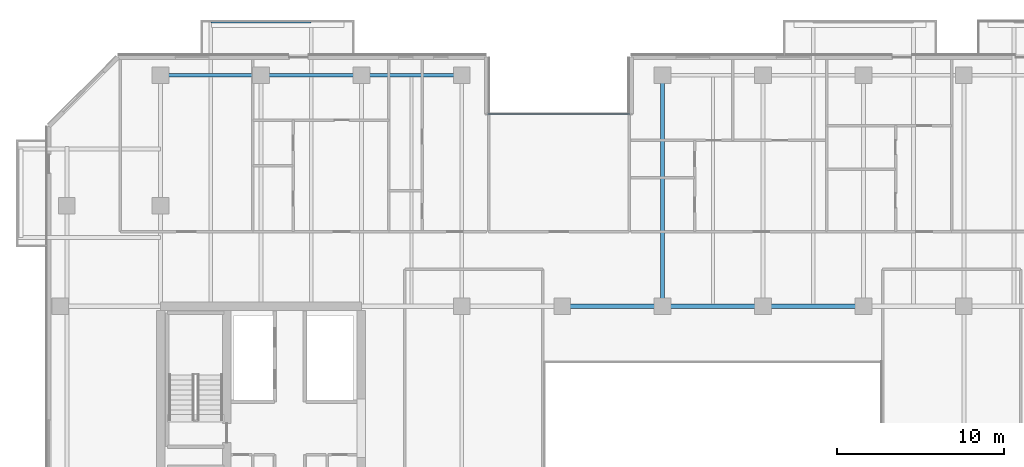
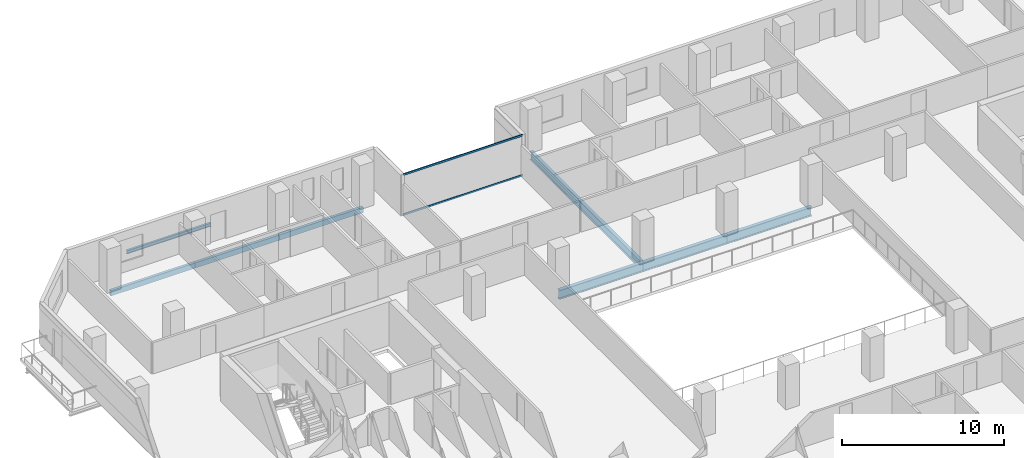
# One storey, part 7 of 23: 8 beams, 2 members, 1 element without a shape of its own.
"""IFC4 building model written with IfcOpenShell, lengths in metres."""

from ifc_helpers import new_model, si_unit, direction, frame, origin, origin_2d, place, context, subcontext, project, spatial, hollow_rectangle, i_section, extrude, material, layer, layer_set, material_profile, profile_set, type_object, element, aggregate, save


model = new_model("IFC4")

# Units and contexts
model_context = context("Model", 3, precision=1e-05, world=origin(), true_north=direction((0.0, 1.0)))
body_context = subcontext(model_context, "Body", "Model", "MODEL_VIEW")
ifc_project = project(units=[si_unit("LENGTHUNIT", "METRE"), si_unit("AREAUNIT", "SQUARE_METRE"), si_unit("VOLUMEUNIT", "CUBIC_METRE"), si_unit("PLANEANGLEUNIT", "RADIAN"), si_unit("MASSUNIT", "GRAM", prefix="KILO")], contexts=[model_context])

# Site, building, storey
site_placement = place(None, origin())
site = spatial("IfcSite", under=ifc_project, at=site_placement, CompositionType="ELEMENT")
building_placement = place(site_placement, origin())
building = spatial("IfcBuilding", under=site, at=building_placement, Name="Tanjung Sevakor Pilgrim Tower", CompositionType="ELEMENT")
storey_placement = place(building_placement, frame((0.0, 0.0, 88.77001953125)))
storey = spatial("IfcBuildingStorey", under=building, at=storey_placement, Name="L24", CompositionType="ELEMENT", Elevation=88.77001953125)

# Beams
ifc_material_1 = material(Name="Steel S355J2", Category="steel")
ifc_material_profile_1 = material_profile(ifc_material_1, i_section(OverallWidth=0.25439453125, OverallDepth=0.6875, WebThickness=0.01318359375, FlangeThickness=0.02099609375, FilletRadius=0.01513671875, at=origin_2d()))
ifc_profile_set_1 = profile_set([ifc_material_profile_1], Name="Steel S355J2")
beam_type_1 = type_object("IfcBeamType", Name="BM-B-G2-UB_686x254x152", PredefinedType="BEAM", material=ifc_profile_set_1)
for number, where, z_axis, x_axis, name in (
    (1, (48.0, 42.60009765625, -0.563720703125), (1.0, 0.0, 0.0), (0.0, 1.0, 0.0), "L24 Primary Floor Girder MAIN Y426-04"),
    (2, (54.0, 42.60009765625, -0.563720703125), (1.0, 0.0, 0.0), (0.0, 1.0, 0.0), "L24 Primary Floor Girder MAIN Y426-05"),
    (3, (60.0, 42.60009765625, -0.563720703125), (1.0, 0.0, 0.0), (0.0, 1.0, 0.0), "L24 Primary Floor Girder MAIN Y426-06"),
):
    element("IfcBeam", number, at=place(storey_placement, frame(where, z_axis=z_axis, x_axis=x_axis)), inside=storey, type_object=beam_type_1, Name=name, PredefinedType="BEAM", context=body_context, shape_type="SweptSolid", body=[
        extrude(i_section(OverallWidth=0.25439453125, OverallDepth=0.6875, WebThickness=0.01318359375, FlangeThickness=0.02099609375, FilletRadius=0.01513671875, at=origin_2d()), origin(), (0.0, 0.0, 1.0), 6.0),
    ])
ifc_material_2 = material(Name="Steel S355J2", Category="steel")
ifc_material_profile_2 = material_profile(ifc_material_2, i_section(OverallWidth=0.230224609375, OverallDepth=0.6171875, WebThickness=0.01318359375, FlangeThickness=0.022216796875, FilletRadius=0.0126953125, at=origin_2d()))
ifc_profile_set_2 = profile_set([ifc_material_profile_2], Name="Steel S355J2")
beam_type_2 = type_object("IfcBeamType", Name="BM-B-G3-UB_610x229x140", PredefinedType="BEAM", material=ifc_profile_set_2)
beam_1_placement = place(storey_placement, frame((54.0, 42.60009765625, -0.528564453125), z_axis=(0.0, 1.0, 0.0), x_axis=(-1.0, 0.0, 0.0)))
element("IfcBeam", 4, at=beam_1_placement, inside=storey, type_object=beam_type_2, Name="L24 MAIN Girder 013", PredefinedType="BEAM", context=body_context, shape_type="SweptSolid", body=[
    extrude(i_section(OverallWidth=0.230224609375, OverallDepth=0.6171875, WebThickness=0.01318359375, FlangeThickness=0.022216796875, FilletRadius=0.0126953125, at=origin_2d()), origin(), (0.0, 0.0, 1.0), 13.7998046875),
])
ifc_material_3 = material(Name="Steel S355J2", Category="steel")
ifc_material_profile_3 = material_profile(ifc_material_3, i_section(OverallWidth=0.146484375, OverallDepth=0.256103515625, WebThickness=0.00634765625, FlangeThickness=0.010986328125, FilletRadius=0.007568359375, at=origin_2d()))
ifc_profile_set_3 = profile_set([ifc_material_profile_3], Name="Steel S355J2")
beam_type_3 = type_object("IfcBeamType", Name="BM-B-J6-UB_254x146x37", PredefinedType="JOIST", material=ifc_profile_set_3)
beam_2_placement = place(storey_placement, frame((27.0, 59.580078125, -0.328125), z_axis=(1.0, 0.0, 0.0), x_axis=(0.0, 1.0, 0.0)))
element("IfcBeam", 5, at=beam_2_placement, inside=storey, type_object=beam_type_3, Name="L24 Balcony Rim Tie MAIN-N1", PredefinedType="JOIST", context=body_context, shape_type="SweptSolid", body=[
    extrude(i_section(OverallWidth=0.146484375, OverallDepth=0.256103515625, WebThickness=0.00634765625, FlangeThickness=0.010986328125, FilletRadius=0.007568359375, at=origin_2d()), origin(), (0.0, 0.0, 1.0), 6.0),
])
ifc_material_4 = material(Name="Steel S355J2", Category="steel")
ifc_material_profile_4 = material_profile(ifc_material_4, hollow_rectangle(XDim=0.199951171875, YDim=0.39990234375, WallThickness=0.01611328125, at=origin_2d()))
ifc_profile_set_4 = profile_set([ifc_material_profile_4], Name="Steel S355J2")
beam_type_4 = type_object("IfcBeamType", Name="BM-B-SP2-RHS_400x200x16", PredefinedType="SPANDREL", material=ifc_profile_set_4)
for number, where, z_axis, x_axis, name in (
    (6, (24.0, 56.39990234375, -0.419921875), (1.0, 0.0, 0.0), (0.0, 1.0, 0.0), "L24 Spandrel MAIN N-02"),
    (7, (30.0, 56.39990234375, -0.419921875), (1.0, 0.0, 0.0), (0.0, 1.0, 0.0), "L24 Spandrel MAIN N-04"),
    (8, (36.0, 56.39990234375, -0.419921875), (1.0, 0.0, 0.0), (0.0, 1.0, 0.0), "L24 Spandrel MAIN N-06"),
):
    element("IfcBeam", number, at=place(storey_placement, frame(where, z_axis=z_axis, x_axis=x_axis)), inside=storey, type_object=beam_type_4, Name=name, PredefinedType="SPANDREL", context=body_context, shape_type="SweptSolid", body=[
        extrude(hollow_rectangle(XDim=0.199951171875, YDim=0.39990234375, WallThickness=0.01611328125, at=origin_2d()), origin(), (0.0, 0.0, 1.0), 6.0),
    ])

# Curtain wall, members
ifc_material_5 = material(Name="Aluminium 6063-T6 and Low-E Glass", Category="aluminium")
ifc_layer = layer(ifc_material_5, 0.179931640625)
ifc_layer_set = layer_set([ifc_layer], Name="CW-SYS-CLEFT")
curtain_wall_type = type_object("IfcCurtainWallType", Name="CW-SYS-CLEFT", PredefinedType="NOTDEFINED", material=ifc_layer_set)
curtain_wall_placement = place(storey_placement, origin())
curtain_wall = element("IfcCurtainWall", 9, at=curtain_wall_placement, inside=storey, type_object=curtain_wall_type, Name="L24 Curtain Wall CW-CLF-L24-10", PredefinedType="NOTDEFINED")
ifc_material_6 = material(Name="Aluminium 6063-T6", Category="aluminium")
ifc_material_profile_5 = material_profile(ifc_material_6, hollow_rectangle(XDim=0.06494140625, YDim=0.139892578125, WallThickness=0.00390625, at=origin_2d()))
ifc_profile_set_5 = profile_set([ifc_material_profile_5], Name="Aluminium 6063-T6")
member_type = type_object("IfcMemberType", Name="TYPE-CWT-1", PredefinedType="USERDEFINED", material=ifc_profile_set_5)
member_1_placement = place(storey_placement, frame((52.050048828125, 54.074951171875, 0.032470703125), z_axis=(-1.0, 0.0, 0.0), x_axis=(0.0, -1.0, 0.0)))
member_1 = element("IfcMember", 10, at=member_1_placement, type_object=member_type, Name="CW-CLF transom 1.1", ObjectType="TRANSOM", PredefinedType="USERDEFINED", context=body_context, shape_type="SweptSolid", body=[
    extrude(hollow_rectangle(XDim=0.06494140625, YDim=0.139892578125, WallThickness=0.00390625, at=origin_2d()), origin(), (0.0, 0.0, 1.0), 8.5),
])
member_2_placement = place(storey_placement, frame((52.050048828125, 54.074951171875, 3.04736328125), z_axis=(-1.0, 0.0, 0.0), x_axis=(0.0, -1.0, 0.0)))
member_2 = element("IfcMember", 11, at=member_2_placement, type_object=member_type, Name="CW-CLF transom 1.2", ObjectType="TRANSOM", PredefinedType="USERDEFINED", context=body_context, shape_type="SweptSolid", body=[
    extrude(hollow_rectangle(XDim=0.06494140625, YDim=0.139892578125, WallThickness=0.00390625, at=origin_2d()), origin(), (0.0, 0.0, 1.0), 8.5),
])
aggregate(curtain_wall, [member_1, member_2])

save(model, "model.ifc")
